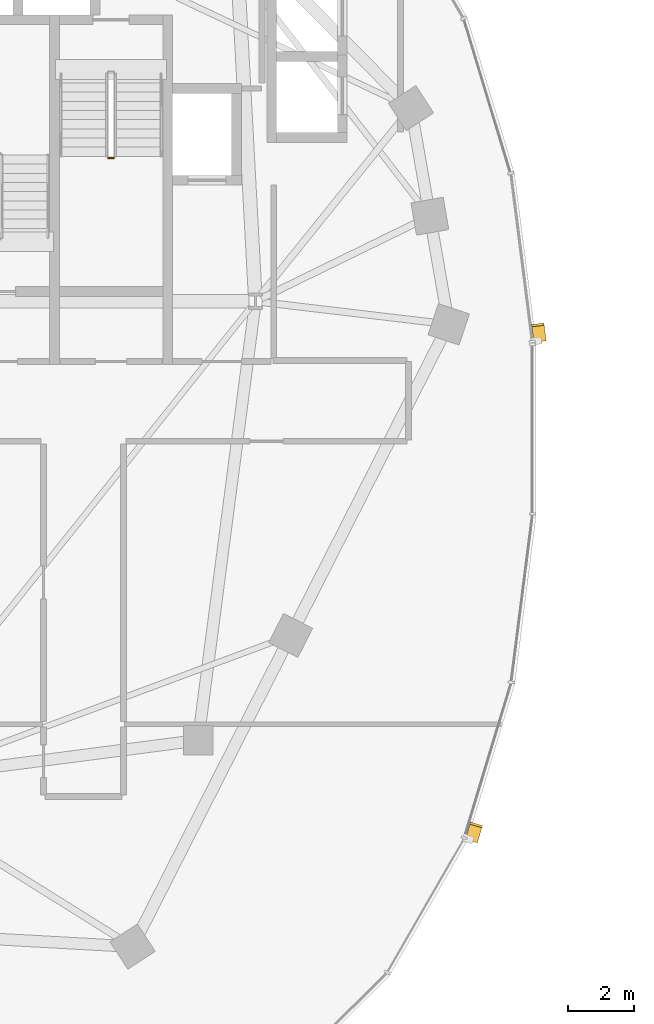
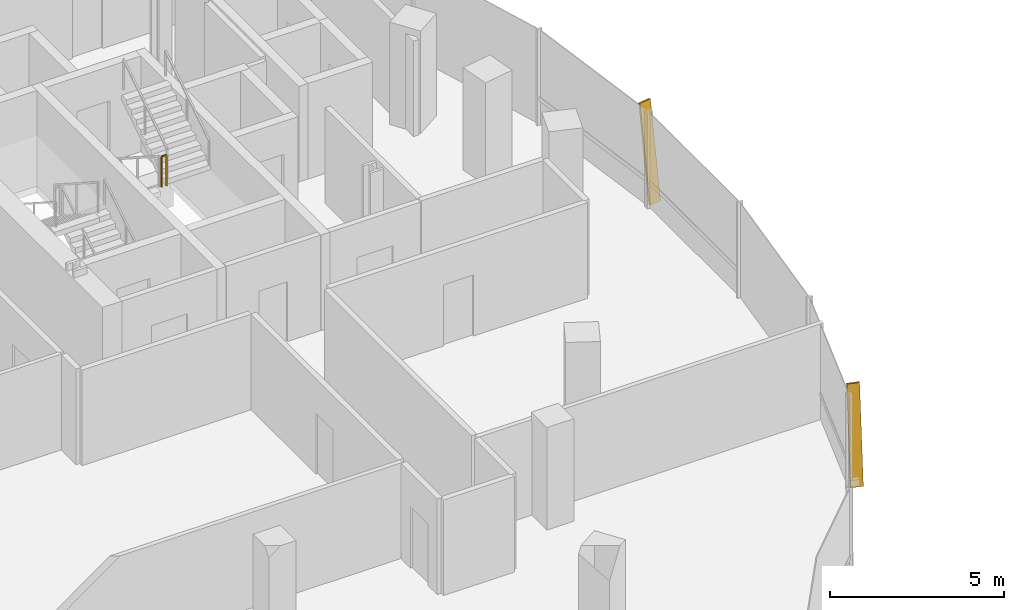
# One storey, part 19 of 22: 2 shading devices, 1 railing.
"""IFC4 building model written with IfcOpenShell, lengths in metres."""

from ifc_helpers import new_model, si_unit, direction, frame, origin, origin_2d, place, context, subcontext, project, spatial, rectangle, extrude, material, material_profile, profile_set, type_object, element, save


model = new_model("IFC4")

# Units and contexts
model_context = context("Model", 3, precision=1e-05, world=origin(), true_north=direction((0.0, 1.0)))
body_context = subcontext(model_context, "Body", "Model", "MODEL_VIEW")
ifc_project = project(units=[si_unit("LENGTHUNIT", "METRE"), si_unit("AREAUNIT", "SQUARE_METRE"), si_unit("VOLUMEUNIT", "CUBIC_METRE"), si_unit("PLANEANGLEUNIT", "RADIAN"), si_unit("MASSUNIT", "GRAM", prefix="KILO"), si_unit("THERMODYNAMICTEMPERATUREUNIT", "KELVIN"), si_unit("POWERUNIT", "WATT")], contexts=[model_context])

# Site, building, storey
site_placement = place(None, origin())
site = spatial("IfcSite", under=ifc_project, at=site_placement, CompositionType="ELEMENT")
building_placement = place(site_placement, origin())
building = spatial("IfcBuilding", under=site, at=building_placement, Name="Cundina Bronze Exchange", CompositionType="ELEMENT")
storey_placement = place(building_placement, frame((0.0, 0.0, 151.199951171875)))
storey = spatial("IfcBuildingStorey", under=building, at=storey_placement, Name="L39", CompositionType="ELEMENT", Elevation=151.199951171875)

# Railing
ifc_material_1 = material(Name="Steel ASTM A36 Painted", Category="steel")
railing_type = type_object("IfcRailingType", Name="RLG-STG-1100", PredefinedType="GUARDRAIL", material=ifc_material_1)
railing_placement = place(storey_placement, frame((-25.93994140625, 8.280029296875, 1.800048828125)))
element("IfcRailing", 1, at=railing_placement, inside=storey, type_object=railing_type, Name="L39 ST-W2 stair guard 2", PredefinedType="GUARDRAIL", context=body_context, shape_type="SweptSolid", body=[
    extrude(rectangle(XDim=0.048095703125, YDim=0.048095703125, at=origin_2d()), frame((0.0, 0.0, 1.076171875), z_axis=(1.0, 0.0, 0.0), x_axis=(0.0, 1.0, 0.0)), (0.0, 0.0, 1.0), 0.159912109375),
    extrude(rectangle(XDim=0.0419921875, YDim=0.0419921875, at=origin_2d()), origin(), (0.0, 0.0, 1.0), 1.052001953125),
    extrude(rectangle(XDim=0.0419921875, YDim=0.0419921875, at=origin_2d()), frame((0.159912109375, 0.0, 0.0)), (0.0, 0.0, 1.0), 1.052001953125),
])

# Shading devices
ifc_material_2 = material(Name="Anodised Bronze Aluminium 6063-T6", Category="aluminium")
ifc_material_profile = material_profile(ifc_material_2, rectangle(XDim=0.070068359375, YDim=0.3798828125, at=origin_2d()), Name="FIN70X380", Category="aluminium")
ifc_profile_set = profile_set([ifc_material_profile], Name="Anodised Bronze Aluminium 6063-T6")
shading_device_type = type_object("IfcShadingDeviceType", Name="SHD-FIN-BRZ380", PredefinedType="USERDEFINED", material=ifc_profile_set)
for number, where, z_axis, x_axis, name in (
    (2, (-12.76513671875, 2.705810546875, 0.02001953125), (-0.018121805099, 0.141917750773, 0.989712560391), (0.125360789044, -0.981741119016, 0.143070080046), "L39 Diagonal Bronze Solar Fin 1"),
    (3, (-14.848876953125, -12.5439453125, 0.02001953125), (0.041483395017, 0.136967981441, 0.989706471636), (-0.286882504107, -0.947215566191, 0.143112193758), "L39 Diagonal Bronze Solar Fin 5"),
):
    element("IfcShadingDevice", number, at=place(storey_placement, frame(where, z_axis=z_axis, x_axis=x_axis)), inside=storey, type_object=shading_device_type, Name=name, ObjectType="FIN", PredefinedType="USERDEFINED", context=body_context, shape_type="SweptSolid", body=[
        extrude(rectangle(XDim=0.070068359375, YDim=0.3798828125, at=origin_2d()), origin(), (0.0, 0.0, 1.0), 3.3544921875),
    ])

save(model, "model.ifc")
